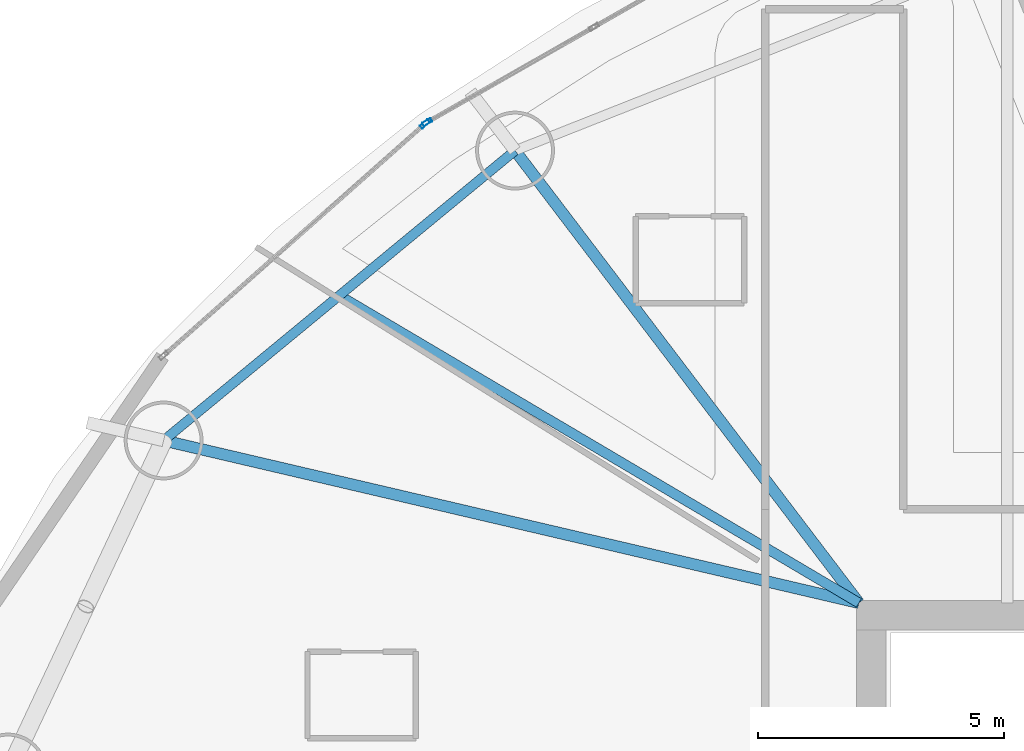
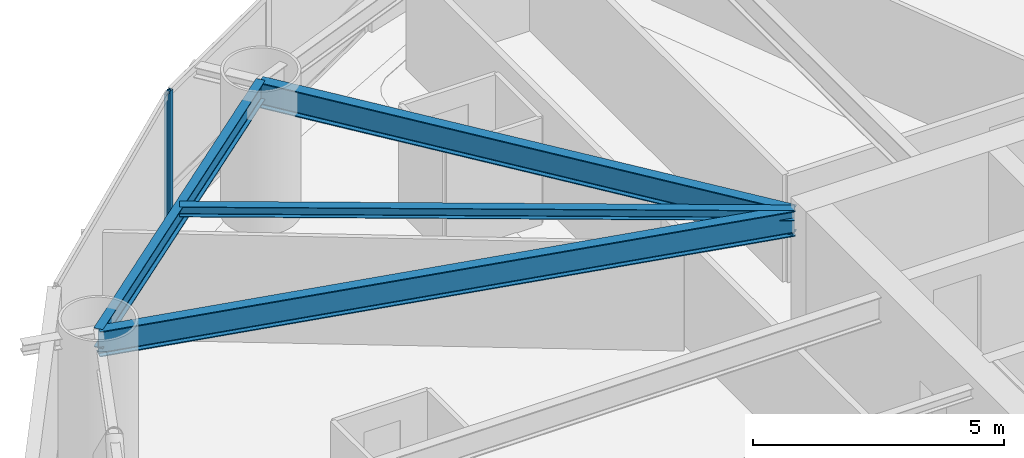
# One storey, part 12 of 26: 4 beams, 2 members, 2 elements without a shape of their own.
"""IFC4 building model written with IfcOpenShell, lengths in metres."""

from ifc_helpers import new_model, si_unit, direction, frame, origin, origin_2d, place, context, subcontext, project, spatial, hollow_rectangle, i_section, extrude, material, layer, layer_set, material_profile, profile_set, type_object, element, aggregate, save


model = new_model("IFC4")

# Units and contexts
model_context = context("Model", 3, precision=1e-05, world=origin(), true_north=direction((0.0, 1.0)))
body_context = subcontext(model_context, "Body", "Model", "MODEL_VIEW")
ifc_project = project(units=[si_unit("LENGTHUNIT", "METRE"), si_unit("AREAUNIT", "SQUARE_METRE"), si_unit("VOLUMEUNIT", "CUBIC_METRE"), si_unit("PLANEANGLEUNIT", "RADIAN"), si_unit("MASSUNIT", "GRAM", prefix="KILO")], contexts=[model_context])

# Site, building, storey
site_placement = place(None, origin())
site = spatial("IfcSite", under=ifc_project, at=site_placement, CompositionType="ELEMENT")
building_placement = place(site_placement, origin())
building = spatial("IfcBuilding", under=site, at=building_placement, Name="Bramvorn Convention Spire", CompositionType="ELEMENT")
storey_placement = place(building_placement, frame((0.0, 0.0, 51.89990234375)))
storey = spatial("IfcBuildingStorey", under=building, at=storey_placement, Name="L10", CompositionType="ELEMENT", Elevation=51.89990234375)

# Beams
ifc_material_1 = material(Name="Steel CSA G40.21 Grade 350 (350W)", Category="steel")
ifc_material_profile_1 = material_profile(ifc_material_1, i_section(OverallWidth=0.201904296875, OverallDepth=0.2470703125, WebThickness=0.00732421875, FlangeThickness=0.010986328125, FilletRadius=0.011962890625, at=origin_2d()))
ifc_profile_set_1 = profile_set([ifc_material_profile_1], Name="Steel CSA G40.21 Grade 350 (350W) - W250X49")
beam_type_1 = type_object("IfcBeamType", Name="BM-W250X49", PredefinedType="JOIST", material=ifc_profile_set_1)
beam_1_placement = place(storey_placement, frame((26.75, 33.449951171875, 3.126708984375), z_axis=(-0.860664556648, 0.509172388223, 0.0), x_axis=(-0.509172388223, -0.860664556648, 0.0)))
element("IfcBeam", 1, at=beam_1_placement, inside=storey, type_object=beam_type_1, Name="L10 composite floor joist 07", PredefinedType="JOIST", context=body_context, shape_type="SweptSolid", body=[
    extrude(i_section(OverallWidth=0.201904296875, OverallDepth=0.2470703125, WebThickness=0.00732421875, FlangeThickness=0.010986328125, FilletRadius=0.011962890625, at=origin_2d()), origin(), (0.0, 0.0, 1.0), 12.25048828125),
])
ifc_material_profile_2 = material_profile(ifc_material_1, i_section(OverallWidth=0.194091796875, OverallDepth=0.468994140625, WebThickness=0.0126953125, FlangeThickness=0.0205078125, FilletRadius=0.01806640625, at=origin_2d()))
ifc_profile_set_2 = profile_set([ifc_material_profile_2], Name="Steel CSA G40.21 Grade 350 (350W) - W460X106")
beam_type_2 = type_object("IfcBeamType", Name="BM-W460X106", PredefinedType="SPANDREL", material=ifc_profile_set_2)
beam_2_placement = place(storey_placement, frame((19.772216796875, 42.628662109375, 3.015625), z_axis=(-0.771417680101, -0.636329130896, 0.0), x_axis=(0.636329130896, -0.771417680101, 0.0)))
element("IfcBeam", 2, at=beam_2_placement, inside=storey, type_object=beam_type_2, Name="L10 mega-column ring beam 07", PredefinedType="SPANDREL", context=body_context, shape_type="SweptSolid", body=[
    extrude(i_section(OverallWidth=0.194091796875, OverallDepth=0.468994140625, WebThickness=0.0126953125, FlangeThickness=0.0205078125, FilletRadius=0.01806640625, at=origin_2d()), origin(), (0.0, 0.0, 1.0), 9.244140625),
])
ifc_material_profile_3 = material_profile(ifc_material_1, i_section(OverallWidth=0.22998046875, OverallDepth=0.616943359375, WebThickness=0.01318359375, FlangeThickness=0.022216796875, FilletRadius=0.02001953125, at=origin_2d()))
ifc_profile_set_3 = profile_set([ifc_material_profile_3], Name="Steel CSA G40.21 Grade 350 (350W) - W610X140")
beam_type_3 = type_object("IfcBeamType", Name="BM-W610X140", PredefinedType="BEAM", material=ifc_profile_set_3)
beam_3_placement = place(storey_placement, frame((26.75, 33.449951171875, 2.941650390625), z_axis=(-0.605191175112, 0.796080172826, 0.0), x_axis=(-0.796080172826, -0.605191175112, 0.0)))
element("IfcBeam", 3, at=beam_3_placement, inside=storey, type_object=beam_type_3, Name="L10 radial floor girder MC07", PredefinedType="BEAM", context=body_context, shape_type="SweptSolid", body=[
    extrude(i_section(OverallWidth=0.22998046875, OverallDepth=0.616943359375, WebThickness=0.01318359375, FlangeThickness=0.022216796875, FilletRadius=0.02001953125, at=origin_2d()), origin(), (0.0, 0.0, 1.0), 11.52978515625),
])
beam_4_placement = place(storey_placement, frame((26.75, 33.449951171875, 2.941650390625), z_axis=(-0.973775294862, 0.227511923018, 0.0), x_axis=(-0.227511923018, -0.973775294862, 0.0)))
element("IfcBeam", 4, at=beam_4_placement, inside=storey, type_object=beam_type_3, Name="L10 radial floor girder MC08", PredefinedType="BEAM", context=body_context, shape_type="SweptSolid", body=[
    extrude(i_section(OverallWidth=0.22998046875, OverallDepth=0.616943359375, WebThickness=0.01318359375, FlangeThickness=0.022216796875, FilletRadius=0.02001953125, at=origin_2d()), origin(), (0.0, 0.0, 1.0), 14.48876953125),
])

# Curtain wall, member
ifc_material_2 = material(Name="Anodised Bronze Unitised Curtain Wall", Category="aluminium")
ifc_layer = layer(ifc_material_2, 0.179931640625)
ifc_layer_set = layer_set([ifc_layer], Name="Anodised Bronze Unitised Curtain Wall - CW-HTL-FRIT")
curtain_wall_type = type_object("IfcCurtainWallType", Name="CW-HTL-FRIT", PredefinedType="USERDEFINED", material=ifc_layer_set)
curtain_wall_1_placement = place(storey_placement, origin())
curtain_wall_1 = element("IfcCurtainWall", 5, at=curtain_wall_1_placement, inside=storey, type_object=curtain_wall_type, Name="L10 fritted glass curtain wall 09", ObjectType="UNITISED CURTAIN WALL", PredefinedType="USERDEFINED")
ifc_material_3 = material(Name="Anodised Bronze Aluminium 6063-T6", Category="aluminium")
ifc_material_profile_4 = material_profile(ifc_material_3, hollow_rectangle(XDim=0.080078125, YDim=0.199951171875, WallThickness=0.00390625, InnerFilletRadius=0.0009765625, OuterFilletRadius=0.00390625, at=origin_2d()))
ifc_profile_set_4 = profile_set([ifc_material_profile_4], Name="Anodised Bronze Aluminium 6063-T6 - CWM80X200")
member_type = type_object("IfcMemberType", Name="CW-MUL-180", PredefinedType="MULLION", material=ifc_profile_set_4)
member_1_placement = place(storey_placement, frame((17.990966796875, 43.20556640625, 0.0), z_axis=(0.0, 0.0, 1.0), x_axis=(-0.495710574258, 0.868487781473, 0.0)))
member_1 = element("IfcMember", 6, at=member_1_placement, type_object=member_type, Name="CW2 mullion 1", PredefinedType="MULLION", context=body_context, shape_type="SweptSolid", body=[
    extrude(hollow_rectangle(XDim=0.080078125, YDim=0.199951171875, WallThickness=0.00390625, InnerFilletRadius=0.0009765625, OuterFilletRadius=0.00390625, at=origin_2d()), origin(), (0.0, 0.0, 1.0), 3.25),
])
aggregate(curtain_wall_1, [member_1])

curtain_wall_2_placement = place(storey_placement, origin())
curtain_wall_2 = element("IfcCurtainWall", 7, at=curtain_wall_2_placement, inside=storey, type_object=curtain_wall_type, Name="L10 fritted glass curtain wall 10", ObjectType="UNITISED CURTAIN WALL", PredefinedType="USERDEFINED")
member_2_placement = place(storey_placement, frame((17.9423828125, 43.1708984375, 0.0), z_axis=(0.0, 0.0, 1.0), x_axis=(-0.6634431048, 0.748226734816, 0.0)))
member_2 = element("IfcMember", 8, at=member_2_placement, type_object=member_type, Name="CW2 mullion 2", PredefinedType="MULLION", context=body_context, shape_type="SweptSolid", body=[
    extrude(hollow_rectangle(XDim=0.080078125, YDim=0.199951171875, WallThickness=0.00390625, InnerFilletRadius=0.0009765625, OuterFilletRadius=0.00390625, at=origin_2d()), origin(), (0.0, 0.0, 1.0), 3.25),
])
aggregate(curtain_wall_2, [member_2])

save(model, "model.ifc")
